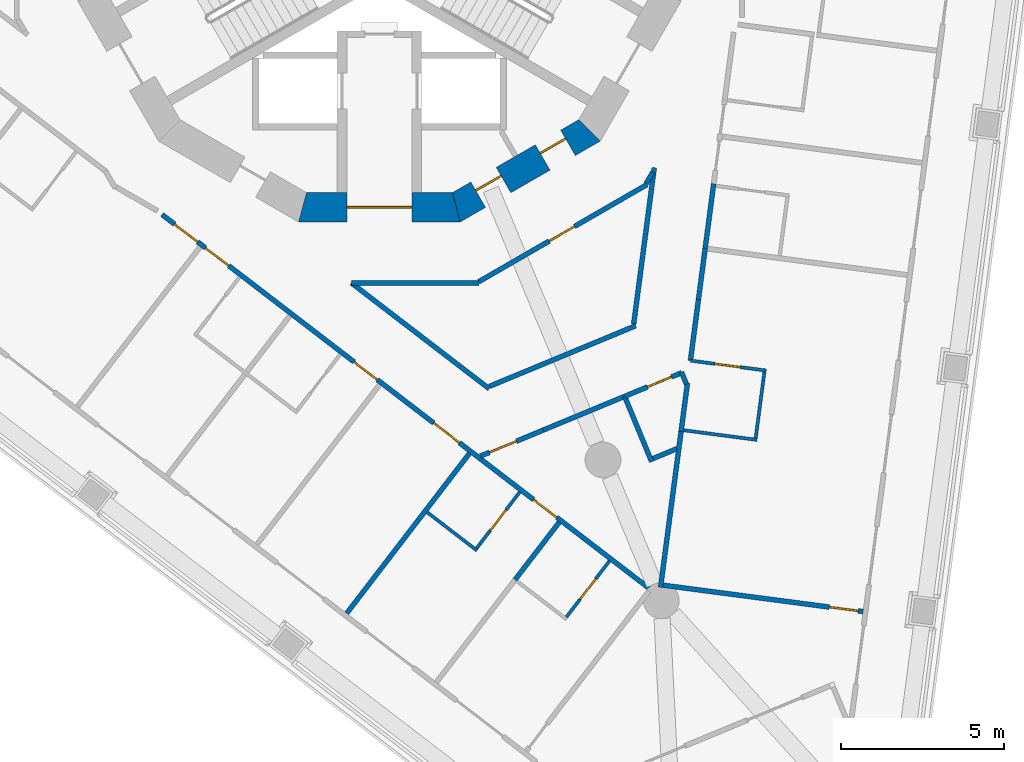
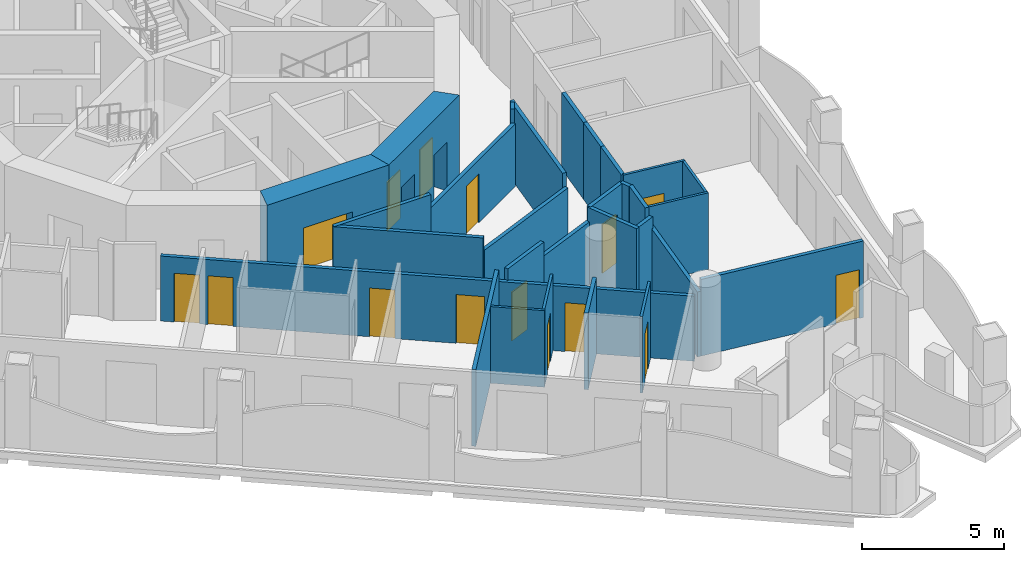
# One storey, part 4 of 17: 29 walls, 15 doors, 15 openings.
"""IFC4 building model written with IfcOpenShell, lengths in metres."""

import ifcopenshell
import ifcopenshell.guid

model = None  # the IFC model being written
_history = None  # IfcOwnerHistory: only IFC2X3 demands one
_inside = {}  # id of a spatial element -> (the spatial element, [elements in it])
_under = {}  # id of a project, library or spatial element -> (it, [spatial elements below it])
_declared = {}  # id of a project -> (the project, [libraries it declares])
_typed = {}  # id of a type object -> (the type object, [elements of that type])
_made_of = {}  # id of a material, layer set ... -> (it, [elements and type objects made of it])


def new_model(schema):
    """Start an empty IFC model of exactly this schema.

    Asked for "IFC4X3", IfcOpenShell would pick the latest addendum, in which some entities
    have other attributes; the version numbers below select the first issue.
    IFC2X3 requires an IfcOwnerHistory on every rooted entity: one is made here for all.
    """
    global model, _history
    if schema == "IFC4X3":
        model = ifcopenshell.file(schema_version=(4, 3, 0, 0))
    else:
        model = ifcopenshell.file(schema=schema)
    _inside.clear()
    _under.clear()
    _declared.clear()
    _typed.clear()
    _made_of.clear()
    _history = None
    if model.schema == "IFC2X3":
        org = make("IfcOrganization", Name="unknown")
        user = make(
            "IfcPersonAndOrganization",
            ThePerson=make("IfcPerson", FamilyName="unknown"),
            TheOrganization=org,
        )
        app = make(
            "IfcApplication",
            ApplicationDeveloper=org,
            Version="unknown",
            ApplicationFullName="unknown",
            ApplicationIdentifier="unknown",
        )
        _history = make(
            "IfcOwnerHistory",
            OwningUser=user,
            OwningApplication=app,
            ChangeAction="ADDED",
            CreationDate=0,
        )
    return model


def make(cls, **values):
    """One entity of the class cls with the attributes given. An attribute that is None is left unset."""
    return model.create_entity(
        cls, **{name: value for name, value in values.items() if value is not None}
    )


def rooted(cls, **values):
    """An entity with a GlobalId (a new one), such as an element, a storey or a relation."""
    return make(cls, GlobalId=ifcopenshell.guid.new(), OwnerHistory=_history, **values)


def si_unit(unit_type, name, prefix=None):
    """IfcSIUnit, for example si_unit("LENGTHUNIT", "METRE", prefix="MILLI")."""
    return make("IfcSIUnit", UnitType=unit_type, Prefix=prefix, Name=name)


def assignment(units):
    """IfcUnitAssignment: the units of a project."""
    return None if units is None else make("IfcUnitAssignment", Units=units)


def point(xyz):
    """IfcCartesianPoint."""
    return None if xyz is None else make("IfcCartesianPoint", Coordinates=xyz)


def direction(xyz):
    """IfcDirection."""
    return None if xyz is None else make("IfcDirection", DirectionRatios=xyz)


def frame(location, z_axis=None, x_axis=None):
    """IfcAxis2Placement3D, a coordinate frame: its origin and axes. An axis left out is left unset."""
    return make(
        "IfcAxis2Placement3D",
        Location=point(location),
        Axis=direction(z_axis),
        RefDirection=direction(x_axis),
    )


def frame_2d(location, x_axis=None):
    """IfcAxis2Placement2D, a coordinate frame in the plane: its origin and x axis."""
    return make(
        "IfcAxis2Placement2D", Location=point(location), RefDirection=direction(x_axis)
    )


def origin():
    """The frame at (0, 0, 0) with its axes left unset."""
    return frame((0.0, 0.0, 0.0))


def place(relative_to, where):
    """IfcLocalPlacement: puts the frame where relative to a parent placement (None: the world)."""
    return make(
        "IfcLocalPlacement", PlacementRelTo=relative_to, RelativePlacement=where
    )


def context(
    kind, dimensions, precision=None, world=None, true_north=None, identifier=None
):
    """IfcGeometricRepresentationContext, for example the 3D "Model" context."""
    return make(
        "IfcGeometricRepresentationContext",
        ContextIdentifier=identifier,
        ContextType=kind,
        CoordinateSpaceDimension=dimensions,
        Precision=precision,
        WorldCoordinateSystem=world,
        TrueNorth=true_north,
    )


def subcontext(parent, identifier, kind, view, scale=None):
    """IfcGeometricRepresentationSubContext, for example "Body" below "Model"."""
    return make(
        "IfcGeometricRepresentationSubContext",
        ContextIdentifier=identifier,
        ContextType=kind,
        ParentContext=parent,
        TargetScale=scale,
        TargetView=view,
    )


def project(units=None, contexts=None):
    """IfcProject with its units and contexts."""
    return rooted(
        "IfcProject",
        Name="project",
        RepresentationContexts=contexts,
        UnitsInContext=assignment(units),
    )


def spatial(cls, under=None, at=None, **own):
    """A site, building, storey or space (cls), placed at a placement, below another one or the project."""
    s = rooted(cls, ObjectPlacement=at, **own)
    if under is not None:
        _under.setdefault(under.id(), (under, []))[1].append(s)
    return s


def polyline(points):
    """IfcPolyline through the points."""
    return make("IfcPolyline", Points=[point(p) for p in points])


def profile(cls, at=None, kind="AREA", **sizes):
    """A parametric profile (cls). Its sizes go by their IFC names, for example OverallWidth=200.0."""
    return make(cls, ProfileType=kind, Position=at, **sizes)


def rectangle(**sizes):
    """IfcRectangleProfileDef."""
    return profile("IfcRectangleProfileDef", **sizes)


def outline(outer, holes=None, kind="AREA"):
    """IfcArbitraryClosedProfileDef: a profile drawn as a closed curve; with holes, ...WithVoids."""
    if holes is None:
        return make("IfcArbitraryClosedProfileDef", ProfileType=kind, OuterCurve=outer)
    return make(
        "IfcArbitraryProfileDefWithVoids",
        ProfileType=kind,
        OuterCurve=outer,
        InnerCurves=holes,
    )


def extrude(swept, where, along, depth):
    """IfcExtrudedAreaSolid: the profile swept, set in the frame where, extruded along a direction by depth."""
    return make(
        "IfcExtrudedAreaSolid",
        SweptArea=swept,
        Position=where,
        ExtrudedDirection=direction(along),
        Depth=depth,
    )


def shape(context_of_items, identifier, shape_type, items):
    """IfcShapeRepresentation: the items that make up one representation, for example the "Body"."""
    return make(
        "IfcShapeRepresentation",
        ContextOfItems=context_of_items,
        RepresentationIdentifier=identifier,
        RepresentationType=shape_type,
        Items=items,
    )


def material(Name=None, Category=None):
    """IfcMaterial."""
    return make("IfcMaterial", Name=Name, Category=Category)


def layer(
    of_material, thickness, ventilated=None, Name=None, Category=None, Priority=None
):
    """IfcMaterialLayer: one layer of a wall or slab, of a material (None: an air gap)."""
    return make(
        "IfcMaterialLayer",
        Material=of_material,
        LayerThickness=thickness,
        IsVentilated=ventilated,
        Name=Name,
        Category=Category,
        Priority=Priority,
    )


def layer_set(layers, Name=None):
    """IfcMaterialLayerSet."""
    return make("IfcMaterialLayerSet", MaterialLayers=layers, LayerSetName=Name)


def made_of(thing, what):
    """Note that an element or type object is made of a material, layer set ...; save() writes the relation."""
    if what is not None:
        _made_of.setdefault(what.id(), (what, []))[1].append(thing)
    return thing


def type_object(cls, material=None, **own):
    """A type object (cls), such as IfcWallType, which elements share."""
    return made_of(rooted(cls, **own), material)


def element(
    cls,
    number,
    at=None,
    inside=None,
    cuts=None,
    type_object=None,
    material=None,
    context=None,
    identifier="Body",
    shape_type=None,
    held_by="IfcProductDefinitionShape",
    body=None,
    shapes=None,
    **own,
):
    """One element of the class cls, such as IfcWall. Its Tag is "e" and its number.

    at: its placement. inside: the storey or other place that contains it. cuts: it is an
    opening in that element (IfcRelVoidsElement). A single representation is given by context,
    identifier, shape_type and body (its items); several are given by shapes. held_by: the class
    of the entity that holds the representations. save() writes the other relations.
    """
    e = rooted(cls, Tag="e%d" % number, ObjectPlacement=at, **own)
    if body is not None:
        shapes = [shape(context, identifier, shape_type, body)]
    if shapes is not None:
        e.Representation = make(held_by, Representations=shapes)
    if inside is not None:
        _inside.setdefault(inside.id(), (inside, []))[1].append(e)
    if cuts is not None:
        rooted(
            "IfcRelVoidsElement", RelatingBuildingElement=cuts, RelatedOpeningElement=e
        )
    if type_object is not None:
        _typed.setdefault(type_object.id(), (type_object, []))[1].append(e)
    return made_of(e, material)


def fill(opening, filler):
    """IfcRelFillsElement: the door or window that sits in an opening."""
    return rooted(
        "IfcRelFillsElement",
        RelatingOpeningElement=opening,
        RelatedBuildingElement=filler,
    )


def aggregate(whole, parts):
    """IfcRelAggregates: a whole, such as a stair, and the parts it consists of."""
    return rooted("IfcRelAggregates", RelatingObject=whole, RelatedObjects=parts)


def save(model, path):
    """Write the relations noted so far, then the file.

    IfcRelAggregates (storeys below a building ...), IfcRelContainedInSpatialStructure (elements
    in a storey), IfcRelDefinesByType, IfcRelAssociatesMaterial and IfcRelDeclares: one each for
    every whole, place, type object, material and project.
    """
    for whole, parts in _under.values():
        aggregate(whole, parts)
    for where, things in _inside.values():
        rooted(
            "IfcRelContainedInSpatialStructure",
            RelatedElements=things,
            RelatingStructure=where,
        )
    for kind, things in _typed.values():
        rooted("IfcRelDefinesByType", RelatedObjects=things, RelatingType=kind)
    for what, things in _made_of.values():
        rooted("IfcRelAssociatesMaterial", RelatedObjects=things, RelatingMaterial=what)
    for by, libraries in _declared.values():
        rooted("IfcRelDeclares", RelatingContext=by, RelatedDefinitions=libraries)
    model.write(path)


model = new_model("IFC4")

# Units and contexts
model_context = context("Model", 3, precision=1e-05, world=origin(), true_north=direction((0.0, 1.0)))
body_context = subcontext(model_context, "Body", "Model", "MODEL_VIEW")
ifc_project = project(units=[si_unit("LENGTHUNIT", "METRE"), si_unit("AREAUNIT", "SQUARE_METRE"), si_unit("VOLUMEUNIT", "CUBIC_METRE"), si_unit("PLANEANGLEUNIT", "RADIAN"), si_unit("MASSUNIT", "GRAM", prefix="KILO")], contexts=[model_context])

# Site, building, storey
site_placement = place(None, origin())
site = spatial("IfcSite", under=ifc_project, at=site_placement, CompositionType="ELEMENT")
building_placement = place(site_placement, origin())
building = spatial("IfcBuilding", under=site, at=building_placement, Name="Trine Commons Tower", CompositionType="ELEMENT")
storey_placement = place(building_placement, frame((0.0, 0.0, 127.800048828125)))
storey = spatial("IfcBuildingStorey", under=building, at=storey_placement, Name="L32", CompositionType="ELEMENT", Elevation=127.800048828125)

# Wall, opening, door
ifc_material_1 = material(Name="Concrete C70/85", Category="concrete")
ifc_layer_1 = layer(ifc_material_1, 0.89990234375)
ifc_layer_set_1 = layer_set([ifc_layer_1], Name="Concrete C70/85")
wall_type_1 = type_object("IfcWallType", Name="RC shear wall 900 mm, C70/85", PredefinedType="SHEAR", material=ifc_layer_set_1)
wall_1_placement = place(storey_placement, frame((77.515380859375, 53.677001953125, 0.0), z_axis=(0.0, 0.0, 1.0), x_axis=(1.0, 0.0, 0.0)))
wall_1 = element("IfcWall", 1, at=wall_1_placement, inside=storey, type_object=wall_type_1, Name="Core wall CWD-10 L32", PredefinedType="SHEAR", context=body_context, shape_type="SweptSolid", body=[
    extrude(outline(polyline([(0.0, -0.449951171875), (4.969482421875, -0.449951171875), (4.728271484375, 0.449951171875), (0.2412109375, 0.449951171875), (0.0, -0.449951171875)])), origin(), (0.0, 0.0, 1.0), 3.599853515625),
])
opening_1_placement = place(wall_1_placement, frame((1.484619140625, 0.0, 0.0)))
opening_1 = element("IfcOpeningElement", 2, at=opening_1_placement, cuts=wall_1, Name="Opening K11.08", PredefinedType="OPENING", context=body_context, shape_type="SweptSolid", body=[
    extrude(rectangle(XDim=2.0, YDim=2.10009765625, at=frame_2d((1.0, 1.050048828125))), frame((0.0, 0.4599609375, 0.0), z_axis=(0.0, -1.0, 0.0), x_axis=(1.0, 0.0, 0.0)), (0.0, 0.0, 1.0), 0.919921875),
])
ifc_material_2 = material(Name="Steel door leaves, fire-rated", Category="steel")
door_type_1 = type_object("IfcDoorType", Name="Lobby door, double leaf 2000 x 2100, FD60", OperationType="DOUBLE_DOOR_SINGLE_SWING", PredefinedType="DOOR", material=ifc_material_2)
door_1_placement = place(opening_1_placement, origin())
door_1 = element("IfcDoor", 3, at=door_1_placement, inside=storey, type_object=door_type_1, Name="Lobby door, Service and firefighting lobby L32", OperationType="DOUBLE_DOOR_SINGLE_SWING", OverallHeight=2.10009765625, OverallWidth=2.0, PredefinedType="DOOR", context=body_context, shape_type="SweptSolid", body=[
    extrude(rectangle(XDim=2.0, YDim=2.10009765625, at=frame_2d((1.0, 1.050048828125))), frame((0.0, 0.02490234375, 0.0), z_axis=(0.0, -1.0, 0.0), x_axis=(1.0, 0.0, 0.0)), (0.0, 0.0, 1.0), 0.050048828125),
])
fill(opening_1, door_1)

# Wall, openings, doors
wall_2_placement = place(storey_placement, frame((82.259765625, 53.61669921875, 0.0), z_axis=(0.0, 0.0, 1.0), x_axis=(0.866003133579, 0.500038571144, 0.0)))
wall_2 = element("IfcWall", 4, at=wall_2_placement, inside=storey, type_object=wall_type_1, Name="Core wall CWD-11 L32", PredefinedType="SHEAR", context=body_context, shape_type="SweptSolid", body=[
    extrude(outline(polyline([(0.0, -0.449951171875), (4.96923828125, -0.449951171875), (4.72802734375, 0.449951171875), (0.2412109375, 0.449951171875), (0.0, -0.449951171875)])), origin(), (0.0, 0.0, 1.0), 3.599853515625),
])
opening_2_placement = place(wall_2_placement, frame((0.89501953125, 0.0, 0.0)))
opening_2 = element("IfcOpeningElement", 5, at=opening_2_placement, cuts=wall_2, Name="Opening K11.17", PredefinedType="OPENING", context=body_context, shape_type="SweptSolid", body=[
    extrude(rectangle(XDim=0.89990234375, YDim=2.10009765625, at=frame_2d((0.449951171875, 1.050048828125))), frame((0.0, 0.4599609375, 0.0), z_axis=(0.0, -1.0, 0.0), x_axis=(1.0, 0.0, 0.0)), (0.0, 0.0, 1.0), 0.919921875),
])
opening_3_placement = place(wall_2_placement, frame((3.18408203125, 0.0, 0.0)))
opening_3 = element("IfcOpeningElement", 6, at=opening_3_placement, cuts=wall_2, Name="Opening K11.18", PredefinedType="OPENING", context=body_context, shape_type="SweptSolid", body=[
    extrude(rectangle(XDim=0.89990234375, YDim=2.10009765625, at=frame_2d((0.449951171875, 1.050048828125))), frame((0.0, 0.4599609375, 0.0), z_axis=(0.0, -1.0, 0.0), x_axis=(1.0, 0.0, 0.0)), (0.0, 0.0, 1.0), 0.919921875),
])
ifc_material_3 = material(Name="Steel door leaf, fire-rated", Category="steel")
door_type_2 = type_object("IfcDoorType", Name="Core room door, single leaf 900 x 2100, FD30S", OperationType="SINGLE_SWING_LEFT", PredefinedType="DOOR", material=ifc_material_3)
door_2_placement = place(opening_2_placement, origin())
door_2 = element("IfcDoor", 7, at=door_2_placement, inside=storey, type_object=door_type_2, Name="Door to Parcel store L32", OperationType="SINGLE_SWING_LEFT", OverallHeight=2.10009765625, OverallWidth=0.89990234375, PredefinedType="DOOR", context=body_context, shape_type="SweptSolid", body=[
    extrude(rectangle(XDim=0.89990234375, YDim=2.10009765625, at=frame_2d((0.449951171875, 1.050048828125))), frame((0.0, 0.1748046875, 0.0), z_axis=(0.0, -1.0, 0.0), x_axis=(1.0, 0.0, 0.0)), (0.0, 0.0, 1.0), 0.050048828125),
])
fill(opening_2, door_2)
door_3_placement = place(opening_3_placement, origin())
door_3 = element("IfcDoor", 8, at=door_3_placement, inside=storey, type_object=door_type_2, Name="Door to Print room L32", OperationType="SINGLE_SWING_RIGHT", OverallHeight=2.10009765625, OverallWidth=0.89990234375, PredefinedType="DOOR", context=body_context, shape_type="SweptSolid", body=[
    extrude(rectangle(XDim=0.89990234375, YDim=2.10009765625, at=frame_2d((0.449951171875, 1.050048828125))), frame((0.0, 0.1748046875, 0.0), z_axis=(0.0, -1.0, 0.0), x_axis=(1.0, 0.0, 0.0)), (0.0, 0.0, 1.0), 0.050048828125),
])
fill(opening_3, door_3)

ifc_material_4 = material(Name="Gypsum plasterboard on steel stud", Category="steel")
ifc_layer_2 = layer(ifc_material_4, 0.14990234375)
ifc_layer_set_2 = layer_set([ifc_layer_2], Name="Gypsum plasterboard on steel stud")
wall_type_2 = type_object("IfcWallType", Name="Unit and corridor wall 150 mm, EI 60", PredefinedType="PARTITIONING", material=ifc_layer_set_2)
wall_3_placement = place(storey_placement, frame((73.318115234375, 53.4541015625, 0.0), z_axis=(0.0, 0.0, 1.0), x_axis=(0.793337765411, -0.60878172605, 0.0)))
wall_3 = element("IfcWall", 9, at=wall_3_placement, inside=storey, type_object=wall_type_2, Name="Partition 049", PredefinedType="PARTITIONING", context=body_context, shape_type="SweptSolid", body=[
    extrude(rectangle(XDim=18.994873046875, YDim=0.14990234375, at=frame_2d((9.49755859375, 0.0))), origin(), (0.0, 0.0, 1.0), 2.800048828125),
])
opening_4_placement = place(wall_3_placement, frame((14.39306640625, 0.0, 0.0)))
opening_4 = element("IfcOpeningElement", 10, at=opening_4_placement, cuts=wall_3, Name="Opening D-4A24", PredefinedType="OPENING", context=body_context, shape_type="SweptSolid", body=[
    extrude(rectangle(XDim=0.89990234375, YDim=2.10009765625, at=frame_2d((0.449951171875, 1.050048828125))), frame((0.0, 0.0849609375, 0.0), z_axis=(0.0, -1.0, 0.0), x_axis=(1.0, 0.0, 0.0)), (0.0, 0.0, 1.0), 0.169921875),
])
opening_5_placement = place(wall_3_placement, frame((10.522705078125, 0.0, 0.0)))
opening_5 = element("IfcOpeningElement", 11, at=opening_5_placement, cuts=wall_3, Name="Opening D-4A25", PredefinedType="OPENING", context=body_context, shape_type="SweptSolid", body=[
    extrude(rectangle(XDim=1.0, YDim=2.10009765625, at=frame_2d((0.5, 1.050048828125))), frame((0.0, 0.0849609375, 0.0), z_axis=(0.0, -1.0, 0.0), x_axis=(1.0, 0.0, 0.0)), (0.0, 0.0, 1.0), 0.169921875),
])
opening_6_placement = place(wall_3_placement, frame((7.43798828125, 0.0, 0.0)))
opening_6 = element("IfcOpeningElement", 12, at=opening_6_placement, cuts=wall_3, Name="Opening D-4A26", PredefinedType="OPENING", context=body_context, shape_type="SweptSolid", body=[
    extrude(rectangle(XDim=0.89990234375, YDim=2.10009765625, at=frame_2d((0.449951171875, 1.050048828125))), frame((0.0, 0.0849609375, 0.0), z_axis=(0.0, -1.0, 0.0), x_axis=(1.0, 0.0, 0.0)), (0.0, 0.0, 1.0), 0.169921875),
])
opening_7_placement = place(wall_3_placement, frame((1.6826171875, 0.0, 0.0)))
opening_7 = element("IfcOpeningElement", 13, at=opening_7_placement, cuts=wall_3, Name="Opening D-4A27", PredefinedType="OPENING", context=body_context, shape_type="SweptSolid", body=[
    extrude(rectangle(XDim=0.89990234375, YDim=2.10009765625, at=frame_2d((0.449951171875, 1.050048828125))), frame((0.0, 0.0849609375, 0.0), z_axis=(0.0, -1.0, 0.0), x_axis=(1.0, 0.0, 0.0)), (0.0, 0.0, 1.0), 0.169921875),
])
opening_8_placement = place(wall_3_placement, frame((0.482666015625, 0.0, 0.0)))
opening_8 = element("IfcOpeningElement", 14, at=opening_8_placement, cuts=wall_3, Name="Opening D-4A28", PredefinedType="OPENING", context=body_context, shape_type="SweptSolid", body=[
    extrude(rectangle(XDim=0.89990234375, YDim=2.10009765625, at=frame_2d((0.449951171875, 1.050048828125))), frame((0.0, 0.0849609375, 0.0), z_axis=(0.0, -1.0, 0.0), x_axis=(1.0, 0.0, 0.0)), (0.0, 0.0, 1.0), 0.169921875),
])
ifc_material_5 = material(Name="Painted timber", Category="wood")
door_type_3 = type_object("IfcDoorType", Name="Amenity room door 1000 x 2100, NOT RATED", OperationType="NOTDEFINED", PredefinedType="DOOR", material=ifc_material_5)
door_4_placement = place(opening_5_placement, frame((1.0, 0.0, 0.0), z_axis=(0.0, 0.0, 1.0), x_axis=(-1.0, 0.0, 0.0)))
door_4 = element("IfcDoor", 15, at=door_4_placement, inside=storey, type_object=door_type_3, Name="Door D-4A25", OperationType="SINGLE_SWING_LEFT", OverallHeight=2.10009765625, OverallWidth=1.0, PredefinedType="DOOR", context=body_context, shape_type="SweptSolid", body=[
    extrude(rectangle(XDim=1.0, YDim=2.10009765625, at=frame_2d((0.5, 1.050048828125))), frame((0.0, 0.02490234375, 0.0), z_axis=(0.0, -1.0, 0.0), x_axis=(1.0, 0.0, 0.0)), (0.0, 0.0, 1.0), 0.050048828125),
])
fill(opening_5, door_4)
ifc_material_6 = material(Name="Timber fire door set", Category="wood")
door_type_4 = type_object("IfcDoorType", Name="Bedroom door 900 x 2100, FD30S", OperationType="NOTDEFINED", PredefinedType="DOOR", material=ifc_material_6)
door_5_placement = place(opening_4_placement, frame((0.89990234375, 0.0, 0.0), z_axis=(0.0, 0.0, 1.0), x_axis=(-1.0, 0.0, 0.0)))
door_5 = element("IfcDoor", 16, at=door_5_placement, inside=storey, type_object=door_type_4, Name="Door D-4A24", OperationType="SINGLE_SWING_LEFT", OverallHeight=2.10009765625, OverallWidth=0.89990234375, PredefinedType="DOOR", context=body_context, shape_type="SweptSolid", body=[
    extrude(rectangle(XDim=0.89990234375, YDim=2.10009765625, at=frame_2d((0.449951171875, 1.050048828125))), frame((0.0, 0.02490234375, 0.0), z_axis=(0.0, -1.0, 0.0), x_axis=(1.0, 0.0, 0.0)), (0.0, 0.0, 1.0), 0.050048828125),
])
fill(opening_4, door_5)
door_6_placement = place(opening_6_placement, frame((0.89990234375, 0.0, 0.0), z_axis=(0.0, 0.0, 1.0), x_axis=(-1.0, 0.0, 0.0)))
door_6 = element("IfcDoor", 17, at=door_6_placement, inside=storey, type_object=door_type_4, Name="Door D-4A26", OperationType="SINGLE_SWING_RIGHT", OverallHeight=2.10009765625, OverallWidth=0.89990234375, PredefinedType="DOOR", context=body_context, shape_type="SweptSolid", body=[
    extrude(rectangle(XDim=0.89990234375, YDim=2.10009765625, at=frame_2d((0.449951171875, 1.050048828125))), frame((0.0, 0.02490234375, 0.0), z_axis=(0.0, -1.0, 0.0), x_axis=(1.0, 0.0, 0.0)), (0.0, 0.0, 1.0), 0.050048828125),
])
fill(opening_6, door_6)
door_7_placement = place(opening_7_placement, frame((0.89990234375, 0.0, 0.0), z_axis=(0.0, 0.0, 1.0), x_axis=(-1.0, 0.0, 0.0)))
door_7 = element("IfcDoor", 18, at=door_7_placement, inside=storey, type_object=door_type_4, Name="Door D-4A27", OperationType="SINGLE_SWING_RIGHT", OverallHeight=2.10009765625, OverallWidth=0.89990234375, PredefinedType="DOOR", context=body_context, shape_type="SweptSolid", body=[
    extrude(rectangle(XDim=0.89990234375, YDim=2.10009765625, at=frame_2d((0.449951171875, 1.050048828125))), frame((0.0, 0.02490234375, 0.0), z_axis=(0.0, -1.0, 0.0), x_axis=(1.0, 0.0, 0.0)), (0.0, 0.0, 1.0), 0.050048828125),
])
fill(opening_7, door_7)
door_8_placement = place(opening_8_placement, frame((0.89990234375, 0.0, 0.0), z_axis=(0.0, 0.0, 1.0), x_axis=(-1.0, 0.0, 0.0)))
door_8 = element("IfcDoor", 19, at=door_8_placement, inside=storey, type_object=door_type_4, Name="Door D-4A28", OperationType="SINGLE_SWING_RIGHT", OverallHeight=2.10009765625, OverallWidth=0.89990234375, PredefinedType="DOOR", context=body_context, shape_type="SweptSolid", body=[
    extrude(rectangle(XDim=0.89990234375, YDim=2.10009765625, at=frame_2d((0.449951171875, 1.050048828125))), frame((0.0, 0.02490234375, 0.0), z_axis=(0.0, -1.0, 0.0), x_axis=(1.0, 0.0, 0.0)), (0.0, 0.0, 1.0), 0.050048828125),
])
fill(opening_8, door_8)

# Walls
wall_4_placement = place(storey_placement, frame((78.994384765625, 41.19677734375, 0.0), z_axis=(0.0, 0.0, 1.0), x_axis=(0.608811285709, 0.79331508141, 0.0)))
element("IfcWall", 20, at=wall_4_placement, inside=storey, type_object=wall_type_2, Name="Partition 061", PredefinedType="PARTITIONING", context=body_context, shape_type="SweptSolid", body=[
    extrude(rectangle(XDim=6.194091796875, YDim=0.14990234375, at=frame_2d((3.09716796875, 0.0))), origin(), (0.0, 0.0, 1.0), 3.300048828125),
])
wall_5_placement = place(storey_placement, frame((79.134033203125, 51.35205078125, 0.0), z_axis=(0.0, 0.0, 1.0), x_axis=(1.0, 0.0, 0.0)))
element("IfcWall", 21, at=wall_5_placement, inside=storey, type_object=wall_type_2, Name="Partition 062", PredefinedType="PARTITIONING", context=body_context, shape_type="SweptSolid", body=[
    extrude(rectangle(XDim=3.927978515625, YDim=0.14990234375, at=frame_2d((1.9638671875, 0.0))), origin(), (0.0, 0.0, 1.0), 3.300048828125),
])
wall_6_placement = place(storey_placement, frame((79.137939453125, 51.35205078125, 0.0), z_axis=(0.0, 0.0, 1.0), x_axis=(0.793274409151, -0.608864280268, 0.0)))
element("IfcWall", 22, at=wall_6_placement, inside=storey, type_object=wall_type_2, Name="Partition 063", PredefinedType="PARTITIONING", context=body_context, shape_type="SweptSolid", body=[
    extrude(rectangle(XDim=5.340576171875, YDim=0.14990234375, at=frame_2d((2.67041015625, 0.0))), origin(), (0.0, 0.0, 1.0), 3.300048828125),
])

# Wall, opening, door
wall_7_placement = place(storey_placement, frame((83.052001953125, 51.389404296875, 0.0), z_axis=(0.0, 0.0, 1.0), x_axis=(0.866039280689, 0.499975963725, 0.0)))
wall_7 = element("IfcWall", 23, at=wall_7_placement, inside=storey, type_object=wall_type_2, Name="Partition 070", PredefinedType="PARTITIONING", context=body_context, shape_type="SweptSolid", body=[
    extrude(rectangle(XDim=5.974365234375, YDim=0.14990234375, at=frame_2d((2.9873046875, 0.0))), origin(), (0.0, 0.0, 1.0), 2.699951171875),
])
opening_9_placement = place(wall_7_placement, frame((2.499755859375, 0.0, 0.0)))
opening_9 = element("IfcOpeningElement", 24, at=opening_9_placement, cuts=wall_7, Name="Opening D-4A32", PredefinedType="OPENING", context=body_context, shape_type="SweptSolid", body=[
    extrude(rectangle(XDim=0.89990234375, YDim=2.10009765625, at=frame_2d((0.449951171875, 1.050048828125))), frame((0.0, 0.0849609375, 0.0), z_axis=(0.0, -1.0, 0.0), x_axis=(1.0, 0.0, 0.0)), (0.0, 0.0, 1.0), 0.169921875),
])
door_type_5 = type_object("IfcDoorType", Name="Service door 900 x 2100, FD30S", OperationType="NOTDEFINED", PredefinedType="DOOR", material=ifc_material_6)
door_9_placement = place(opening_9_placement, frame((0.89990234375, 0.0, 0.0), z_axis=(0.0, 0.0, 1.0), x_axis=(-1.0, 0.0, 0.0)))
door_9 = element("IfcDoor", 25, at=door_9_placement, inside=storey, type_object=door_type_5, Name="Door D-4A32", OperationType="SINGLE_SWING_RIGHT", OverallHeight=2.10009765625, OverallWidth=0.89990234375, PredefinedType="DOOR", context=body_context, shape_type="SweptSolid", body=[
    extrude(rectangle(XDim=0.89990234375, YDim=2.10009765625, at=frame_2d((0.449951171875, 1.050048828125))), frame((0.0, 0.02490234375, 0.0), z_axis=(0.0, -1.0, 0.0), x_axis=(1.0, 0.0, 0.0)), (0.0, 0.0, 1.0), 0.050048828125),
])
fill(opening_9, door_9)

wall_8_placement = place(storey_placement, frame((83.102294921875, 46.02880859375, 0.0), z_axis=(0.0, 0.0, 1.0), x_axis=(0.923986937012, 0.382424031973, 0.0)))
wall_8 = element("IfcWall", 26, at=wall_8_placement, inside=storey, type_object=wall_type_2, Name="Partition 072", PredefinedType="PARTITIONING", context=body_context, shape_type="SweptSolid", body=[
    extrude(rectangle(XDim=2.089599609375, YDim=0.14990234375, at=frame_2d((1.044921875, 0.0))), origin(), (0.0, 0.0, 1.0), 3.300048828125),
])
opening_10_placement = place(wall_8_placement, frame((0.2978515625, 0.0, 0.0)))
opening_10 = element("IfcOpeningElement", 27, at=opening_10_placement, cuts=wall_8, Name="Opening D-4A02", PredefinedType="OPENING", context=body_context, shape_type="SweptSolid", body=[
    extrude(rectangle(XDim=0.89990234375, YDim=2.10009765625, at=frame_2d((0.449951171875, 1.050048828125))), frame((0.0, 0.0849609375, 0.0), z_axis=(0.0, -1.0, 0.0), x_axis=(1.0, 0.0, 0.0)), (0.0, 0.0, 1.0), 0.169921875),
])
door_type_6 = type_object("IfcDoorType", Name="Cluster entrance door 900 x 2100, FD30S", OperationType="NOTDEFINED", PredefinedType="DOOR", material=ifc_material_6)
door_10_placement = place(opening_10_placement, frame((0.89990234375, 0.0, 0.0), z_axis=(0.0, 0.0, 1.0), x_axis=(-1.0, 0.0, 0.0)))
door_10 = element("IfcDoor", 28, at=door_10_placement, inside=storey, type_object=door_type_6, Name="Door D-4A02", OperationType="SINGLE_SWING_RIGHT", OverallHeight=2.10009765625, OverallWidth=0.89990234375, PredefinedType="DOOR", context=body_context, shape_type="SweptSolid", body=[
    extrude(rectangle(XDim=0.89990234375, YDim=2.10009765625, at=frame_2d((0.449951171875, 1.050048828125))), frame((0.0, 0.02490234375, 0.0), z_axis=(0.0, -1.0, 0.0), x_axis=(1.0, 0.0, 0.0)), (0.0, 0.0, 1.0), 0.050048828125),
])
fill(opening_10, door_10)

# Walls
wall_9_placement = place(storey_placement, frame((83.38427734375, 48.1748046875, 0.0), z_axis=(0.0, 0.0, 1.0), x_axis=(0.923876009177, 0.382691938335, 0.0)))
element("IfcWall", 29, at=wall_9_placement, inside=storey, type_object=wall_type_2, Name="Partition 073", PredefinedType="PARTITIONING", context=body_context, shape_type="SweptSolid", body=[
    extrude(rectangle(XDim=4.85986328125, YDim=0.14990234375, at=frame_2d((2.429931640625, 0.0))), origin(), (0.0, 0.0, 1.0), 2.699951171875),
])
wall_10_placement = place(storey_placement, frame((84.1689453125, 42.22900390625, 0.0), z_axis=(0.0, 0.0, 1.0), x_axis=(0.609212171412, 0.793007269956, 0.0)))
element("IfcWall", 30, at=wall_10_placement, inside=storey, type_object=wall_type_2, Name="Partition 074", PredefinedType="PARTITIONING", context=body_context, shape_type="SweptSolid", body=[
    extrude(rectangle(XDim=2.224853515625, YDim=0.14990234375, at=frame_2d((1.1123046875, 0.0))), origin(), (0.0, 0.0, 1.0), 3.300048828125),
])
wall_11_placement = place(storey_placement, frame((85.032958984375, 46.827880859375, 0.0), z_axis=(0.0, 0.0, 1.0), x_axis=(0.923769467477, 0.382949044857, 0.0)))
element("IfcWall", 31, at=wall_11_placement, inside=storey, type_object=wall_type_2, Name="Partition 078", PredefinedType="PARTITIONING", context=body_context, shape_type="SweptSolid", body=[
    extrude(rectangle(XDim=2.695556640625, YDim=0.14990234375, at=frame_2d((1.34765625, 0.0))), origin(), (0.0, 0.0, 1.0), 2.699951171875),
])

# Wall, opening, door
wall_12_placement = place(storey_placement, frame((87.532958984375, 47.864013671875, 0.0), z_axis=(0.0, 0.0, 1.0), x_axis=(0.923851437131, 0.382751253571, 0.0)))
wall_12 = element("IfcWall", 32, at=wall_12_placement, inside=storey, type_object=wall_type_2, Name="Partition 084", PredefinedType="PARTITIONING", context=body_context, shape_type="SweptSolid", body=[
    extrude(rectangle(XDim=1.9072265625, YDim=0.14990234375, at=frame_2d((0.95361328125, 0.0))), origin(), (0.0, 0.0, 1.0), 3.300048828125),
])
opening_11_placement = place(wall_12_placement, frame((0.764892578125, 0.0, 0.0)))
opening_11 = element("IfcOpeningElement", 33, at=opening_11_placement, cuts=wall_12, Name="Opening D-4A04", PredefinedType="OPENING", context=body_context, shape_type="SweptSolid", body=[
    extrude(rectangle(XDim=0.800048828125, YDim=2.10009765625, at=frame_2d((0.39990234375, 1.050048828125))), frame((0.0, 0.0849609375, 0.0), z_axis=(0.0, -1.0, 0.0), x_axis=(1.0, 0.0, 0.0)), (0.0, 0.0, 1.0), 0.169921875),
])
door_type_7 = type_object("IfcDoorType", Name="Toilet door 800 x 2100, NOT RATED", OperationType="NOTDEFINED", PredefinedType="DOOR", material=ifc_material_5)
door_11_placement = place(opening_11_placement, frame((0.800048828125, 0.0, 0.0), z_axis=(0.0, 0.0, 1.0), x_axis=(-1.0, 0.0, 0.0)))
door_11 = element("IfcDoor", 34, at=door_11_placement, inside=storey, type_object=door_type_7, Name="Door D-4A04", OperationType="SINGLE_SWING_LEFT", OverallHeight=2.10009765625, OverallWidth=0.800048828125, PredefinedType="DOOR", context=body_context, shape_type="SweptSolid", body=[
    extrude(rectangle(XDim=0.800048828125, YDim=2.10009765625, at=frame_2d((0.39990234375, 1.050048828125))), frame((0.0, 0.02490234375, 0.0), z_axis=(0.0, -1.0, 0.0), x_axis=(1.0, 0.0, 0.0)), (0.0, 0.0, 1.0), 0.050048828125),
])
fill(opening_11, door_11)

# Walls
wall_13_placement = place(storey_placement, frame((87.537109375, 47.864990234375, 0.0), z_axis=(0.0, 0.0, 1.0), x_axis=(0.382398068784, -0.923997682351, 0.0)))
element("IfcWall", 35, at=wall_13_placement, inside=storey, type_object=wall_type_2, Name="Partition 085", PredefinedType="PARTITIONING", context=body_context, shape_type="SweptSolid", body=[
    extrude(rectangle(XDim=2.174560546875, YDim=0.14990234375, at=frame_2d((1.08740234375, 0.0))), origin(), (0.0, 0.0, 1.0), 3.300048828125),
])
wall_14_placement = place(storey_placement, frame((87.814697265625, 50.080322265625, 0.0), z_axis=(0.0, 0.0, 1.0), x_axis=(0.130546835993, 0.991442143351, 0.0)))
element("IfcWall", 36, at=wall_14_placement, inside=storey, type_object=wall_type_2, Name="Partition 087", PredefinedType="PARTITIONING", context=body_context, shape_type="SweptSolid", body=[
    extrude(rectangle(XDim=4.856689453125, YDim=0.14990234375, at=frame_2d((2.42822265625, 0.0))), origin(), (0.0, 0.0, 1.0), 3.300048828125),
])
wall_15_placement = place(storey_placement, frame((88.198486328125, 54.404052734375, 0.0), z_axis=(0.0, 0.0, 1.0), x_axis=(0.499481060725, 0.866324806281, 0.0)))
element("IfcWall", 37, at=wall_15_placement, inside=storey, type_object=wall_type_2, Name="Partition 091", PredefinedType="PARTITIONING", context=body_context, shape_type="SweptSolid", body=[
    extrude(rectangle(XDim=0.40869140625, YDim=0.14990234375, at=frame_2d((0.204345703125, 0.0))), origin(), (0.0, 0.0, 1.0), 3.300048828125),
])
wall_16_placement = place(storey_placement, frame((88.4091796875, 45.95361328125, 0.0), z_axis=(0.0, 0.0, 1.0), x_axis=(0.92369931044, 0.383118237484, 0.0)))
element("IfcWall", 38, at=wall_16_placement, inside=storey, type_object=wall_type_2, Name="Partition 093", PredefinedType="PARTITIONING", context=body_context, shape_type="SweptSolid", body=[
    extrude(rectangle(XDim=0.78759765625, YDim=0.14990234375, at=frame_2d((0.393798828125, 0.0))), origin(), (0.0, 0.0, 1.0), 3.300048828125),
])
wall_17_placement = place(storey_placement, frame((88.64111328125, 41.99560546875, 0.0), z_axis=(0.0, 0.0, 1.0), x_axis=(0.130614848927, 0.991433185464, 0.0)))
element("IfcWall", 39, at=wall_17_placement, inside=storey, type_object=wall_type_2, Name="Partition 094", PredefinedType="PARTITIONING", context=body_context, shape_type="SweptSolid", body=[
    extrude(rectangle(XDim=4.884033203125, YDim=0.14990234375, at=frame_2d((2.44189453125, 0.0))), origin(), (0.0, 0.0, 1.0), 2.800048828125),
])

# Wall, opening, door
wall_18_placement = place(storey_placement, frame((88.725341796875, 42.060302734375, 0.0), z_axis=(0.0, 0.0, 1.0), x_axis=(0.991454966236, -0.130449415202, 0.0)))
wall_18 = element("IfcWall", 40, at=wall_18_placement, inside=storey, type_object=wall_type_2, Name="Partition 095", PredefinedType="PARTITIONING", context=body_context, shape_type="SweptSolid", body=[
    extrude(rectangle(XDim=6.19482421875, YDim=0.14990234375, at=frame_2d((3.097412109375, 0.0))), origin(), (0.0, 0.0, 1.0), 3.300048828125),
])
opening_12_placement = place(wall_18_placement, frame((5.14501953125, 0.0, 0.0)))
opening_12 = element("IfcOpeningElement", 41, at=opening_12_placement, cuts=wall_18, Name="Opening D-4A22", PredefinedType="OPENING", context=body_context, shape_type="SweptSolid", body=[
    extrude(rectangle(XDim=0.89990234375, YDim=2.10009765625, at=frame_2d((0.449951171875, 1.050048828125))), frame((0.0, 0.0849609375, 0.0), z_axis=(0.0, -1.0, 0.0), x_axis=(1.0, 0.0, 0.0)), (0.0, 0.0, 1.0), 0.169921875),
])
door_12_placement = place(opening_12_placement, origin())
door_12 = element("IfcDoor", 42, at=door_12_placement, inside=storey, type_object=door_type_4, Name="Door D-4A22", OperationType="SINGLE_SWING_RIGHT", OverallHeight=2.10009765625, OverallWidth=0.89990234375, PredefinedType="DOOR", context=body_context, shape_type="SweptSolid", body=[
    extrude(rectangle(XDim=0.89990234375, YDim=2.10009765625, at=frame_2d((0.449951171875, 1.050048828125))), frame((0.0, 0.02490234375, 0.0), z_axis=(0.0, -1.0, 0.0), x_axis=(1.0, 0.0, 0.0)), (0.0, 0.0, 1.0), 0.050048828125),
])
fill(opening_12, door_12)

# Walls
wall_19_placement = place(storey_placement, frame((89.271484375, 46.780517578125, 0.0), z_axis=(0.0, 0.0, 1.0), x_axis=(0.130968577384, 0.991386519849, 0.0)))
element("IfcWall", 43, at=wall_19_placement, inside=storey, type_object=wall_type_2, Name="Partition 097", PredefinedType="PARTITIONING", context=body_context, shape_type="SweptSolid", body=[
    extrude(rectangle(XDim=1.498779296875, YDim=0.14990234375, at=frame_2d((0.74951171875, 0.0))), origin(), (0.0, 0.0, 1.0), 3.300048828125),
])
wall_20_placement = place(storey_placement, frame((89.283935546875, 48.611328125, 0.0), z_axis=(0.0, 0.0, 1.0), x_axis=(0.383358021714, -0.923599819829, 0.0)))
element("IfcWall", 44, at=wall_20_placement, inside=storey, type_object=wall_type_2, Name="Partition 099", PredefinedType="PARTITIONING", context=body_context, shape_type="SweptSolid", body=[
    extrude(rectangle(XDim=0.39990234375, YDim=0.14990234375, at=frame_2d((0.199951171875, 0.0))), origin(), (0.0, 0.0, 1.0), 3.300048828125),
])
wall_21_placement = place(storey_placement, frame((89.55908203125, 48.9609375, 0.0), z_axis=(0.0, 0.0, 1.0), x_axis=(0.130073589494, 0.99150434256, 0.0)))
element("IfcWall", 45, at=wall_21_placement, inside=storey, type_object=wall_type_2, Name="Partition 100", PredefinedType="PARTITIONING", context=body_context, shape_type="SweptSolid", body=[
    extrude(rectangle(XDim=1.89013671875, YDim=0.14990234375, at=frame_2d((0.945068359375, 0.0))), origin(), (0.0, 0.0, 1.0), 3.300048828125),
])
wall_22_placement = place(storey_placement, frame((89.804931640625, 50.8349609375, 0.0), z_axis=(0.0, 0.0, 1.0), x_axis=(0.13035952234, 0.991466789628, 0.0)))
element("IfcWall", 46, at=wall_22_placement, inside=storey, type_object=wall_type_2, Name="Partition 103", PredefinedType="PARTITIONING", context=body_context, shape_type="SweptSolid", body=[
    extrude(rectangle(XDim=1.595703125, YDim=0.14990234375, at=frame_2d((0.7978515625, 0.0))), origin(), (0.0, 0.0, 1.0), 3.300048828125),
])
wall_23_placement = place(storey_placement, frame((90.002197265625, 52.334716796875, 0.0), z_axis=(0.0, 0.0, 1.0), x_axis=(0.130697081864, 0.991422348342, 0.0)))
element("IfcWall", 47, at=wall_23_placement, inside=storey, type_object=wall_type_2, Name="Partition 104", PredefinedType="PARTITIONING", context=body_context, shape_type="SweptSolid", body=[
    extrude(rectangle(XDim=2.082763671875, YDim=0.14990234375, at=frame_2d((1.04150390625, 0.0))), origin(), (0.0, 0.0, 1.0), 3.300048828125),
])
ifc_layer_3 = layer(ifc_material_4, 0.10009765625)
ifc_layer_set_3 = layer_set([ifc_layer_3], Name="Gypsum plasterboard on steel stud")
wall_type_3 = type_object("IfcWallType", Name="Unit partition 100 mm, no rating", PredefinedType="PARTITIONING", material=ifc_layer_set_3)
wall_24_placement = place(storey_placement, frame((81.470458984375, 44.30029296875, 0.0), z_axis=(0.0, 0.0, 1.0), x_axis=(0.793132716202, -0.609048844092, 0.0)))
element("IfcWall", 48, at=wall_24_placement, inside=storey, type_object=wall_type_3, Name="Partition 065", PredefinedType="PARTITIONING", context=body_context, shape_type="SweptSolid", body=[
    extrude(rectangle(XDim=1.92578125, YDim=0.10009765625, at=frame_2d((0.962890625, 0.0))), origin(), (0.0, 0.0, 1.0), 3.300048828125),
])

# Wall, opening, door
wall_25_placement = place(storey_placement, frame((82.98828125, 43.19775390625, 0.0), z_axis=(0.0, 0.0, 1.0), x_axis=(0.608744865415, 0.793366049709, 0.0)))
wall_25 = element("IfcWall", 49, at=wall_25_placement, inside=storey, type_object=wall_type_3, Name="Partition 069", PredefinedType="PARTITIONING", context=body_context, shape_type="SweptSolid", body=[
    extrude(rectangle(XDim=2.17529296875, YDim=0.10009765625, at=frame_2d((1.087646484375, 0.0))), origin(), (0.0, 0.0, 1.0), 3.300048828125),
])
opening_13_placement = place(wall_25_placement, frame((0.6875, 0.0, 0.0)))
opening_13 = element("IfcOpeningElement", 50, at=opening_13_placement, cuts=wall_25, Name="Opening D-4A52", PredefinedType="OPENING", context=body_context, shape_type="SweptSolid", body=[
    extrude(rectangle(XDim=0.800048828125, YDim=2.10009765625, at=frame_2d((0.39990234375, 1.050048828125))), frame((0.0, 0.06005859375, 0.0), z_axis=(0.0, -1.0, 0.0), x_axis=(1.0, 0.0, 0.0)), (0.0, 0.0, 1.0), 0.1201171875),
])
door_type_8 = type_object("IfcDoorType", Name="Internal door 800 x 2100, NOT RATED", OperationType="NOTDEFINED", PredefinedType="DOOR", material=ifc_material_5)
door_13_placement = place(opening_13_placement, frame((0.800048828125, 0.0, 0.0), z_axis=(0.0, 0.0, 1.0), x_axis=(-1.0, 0.0, 0.0)))
door_13 = element("IfcDoor", 51, at=door_13_placement, inside=storey, type_object=door_type_8, Name="Door D-4A52", OperationType="SINGLE_SWING_LEFT", OverallHeight=2.10009765625, OverallWidth=0.800048828125, PredefinedType="DOOR", context=body_context, shape_type="SweptSolid", body=[
    extrude(rectangle(XDim=0.800048828125, YDim=2.10009765625, at=frame_2d((0.39990234375, 1.050048828125))), frame((0.0, 0.02490234375, 0.0), z_axis=(0.0, -1.0, 0.0), x_axis=(1.0, 0.0, 0.0)), (0.0, 0.0, 1.0), 0.050048828125),
])
fill(opening_13, door_13)

wall_26_placement = place(storey_placement, frame((85.74658203125, 41.081787109375, 0.0), z_axis=(0.0, 0.0, 1.0), x_axis=(0.60915721009, 0.793049489878, 0.0)))
wall_26 = element("IfcWall", 52, at=wall_26_placement, inside=storey, type_object=wall_type_3, Name="Partition 079", PredefinedType="PARTITIONING", context=body_context, shape_type="SweptSolid", body=[
    extrude(rectangle(XDim=2.174560546875, YDim=0.10009765625, at=frame_2d((1.08740234375, 0.0))), origin(), (0.0, 0.0, 1.0), 3.300048828125),
])
opening_14_placement = place(wall_26_placement, frame((0.6875, 0.0, 0.0)))
opening_14 = element("IfcOpeningElement", 53, at=opening_14_placement, cuts=wall_26, Name="Opening D-4A51", PredefinedType="OPENING", context=body_context, shape_type="SweptSolid", body=[
    extrude(rectangle(XDim=0.800048828125, YDim=2.10009765625, at=frame_2d((0.39990234375, 1.050048828125))), frame((0.0, 0.06005859375, 0.0), z_axis=(0.0, -1.0, 0.0), x_axis=(1.0, 0.0, 0.0)), (0.0, 0.0, 1.0), 0.1201171875),
])
door_14_placement = place(opening_14_placement, frame((0.800048828125, 0.0, 0.0), z_axis=(0.0, 0.0, 1.0), x_axis=(-1.0, 0.0, 0.0)))
door_14 = element("IfcDoor", 54, at=door_14_placement, inside=storey, type_object=door_type_8, Name="Door D-4A51", OperationType="SINGLE_SWING_LEFT", OverallHeight=2.10009765625, OverallWidth=0.800048828125, PredefinedType="DOOR", context=body_context, shape_type="SweptSolid", body=[
    extrude(rectangle(XDim=0.800048828125, YDim=2.10009765625, at=frame_2d((0.39990234375, 1.050048828125))), frame((0.0, 0.02490234375, 0.0), z_axis=(0.0, -1.0, 0.0), x_axis=(1.0, 0.0, 0.0)), (0.0, 0.0, 1.0), 0.050048828125),
])
fill(opening_14, door_14)

# Wall
wall_27_placement = place(storey_placement, frame((89.353515625, 46.82421875, 0.0), z_axis=(0.0, 0.0, 1.0), x_axis=(0.991459774706, -0.130412864162, 0.0)))
element("IfcWall", 55, at=wall_27_placement, inside=storey, type_object=wall_type_3, Name="Partition 098", PredefinedType="PARTITIONING", context=body_context, shape_type="SweptSolid", body=[
    extrude(rectangle(XDim=2.274658203125, YDim=0.10009765625, at=frame_2d((1.13720703125, 0.0))), origin(), (0.0, 0.0, 1.0), 3.300048828125),
])

# Wall, opening, door
wall_28_placement = place(storey_placement, frame((89.55908203125, 48.965087890625, 0.0), z_axis=(0.0, 0.0, 1.0), x_axis=(0.991455002545, -0.130449139241, 0.0)))
wall_28 = element("IfcWall", 56, at=wall_28_placement, inside=storey, type_object=wall_type_3, Name="Partition 101", PredefinedType="PARTITIONING", context=body_context, shape_type="SweptSolid", body=[
    extrude(rectangle(XDim=2.3505859375, YDim=0.10009765625, at=frame_2d((1.17529296875, 0.0))), origin(), (0.0, 0.0, 1.0), 3.300048828125),
])
opening_15_placement = place(wall_28_placement, frame((0.750244140625, 0.0, 0.0)))
opening_15 = element("IfcOpeningElement", 57, at=opening_15_placement, cuts=wall_28, Name="Opening D-4A50", PredefinedType="OPENING", context=body_context, shape_type="SweptSolid", body=[
    extrude(rectangle(XDim=0.800048828125, YDim=2.10009765625, at=frame_2d((0.39990234375, 1.050048828125))), frame((0.0, 0.06005859375, 0.0), z_axis=(0.0, -1.0, 0.0), x_axis=(1.0, 0.0, 0.0)), (0.0, 0.0, 1.0), 0.1201171875),
])
door_15_placement = place(opening_15_placement, origin())
door_15 = element("IfcDoor", 58, at=door_15_placement, inside=storey, type_object=door_type_8, Name="Door D-4A50", OperationType="SINGLE_SWING_LEFT", OverallHeight=2.10009765625, OverallWidth=0.800048828125, PredefinedType="DOOR", context=body_context, shape_type="SweptSolid", body=[
    extrude(rectangle(XDim=0.800048828125, YDim=2.10009765625, at=frame_2d((0.39990234375, 1.050048828125))), frame((0.0, 0.02490234375, 0.0), z_axis=(0.0, -1.0, 0.0), x_axis=(1.0, 0.0, 0.0)), (0.0, 0.0, 1.0), 0.050048828125),
])
fill(opening_15, door_15)

# Wall
wall_29_placement = place(storey_placement, frame((91.5654296875, 46.58349609375, 0.0), z_axis=(0.0, 0.0, 1.0), x_axis=(0.130790367743, 0.9914100462, 0.0)))
element("IfcWall", 59, at=wall_29_placement, inside=storey, type_object=wall_type_3, Name="Partition 122", PredefinedType="PARTITIONING", context=body_context, shape_type="SweptSolid", body=[
    extrude(rectangle(XDim=2.049560546875, YDim=0.10009765625, at=frame_2d((1.02490234375, 0.0))), origin(), (0.0, 0.0, 1.0), 3.300048828125),
])

save(model, "model.ifc")
